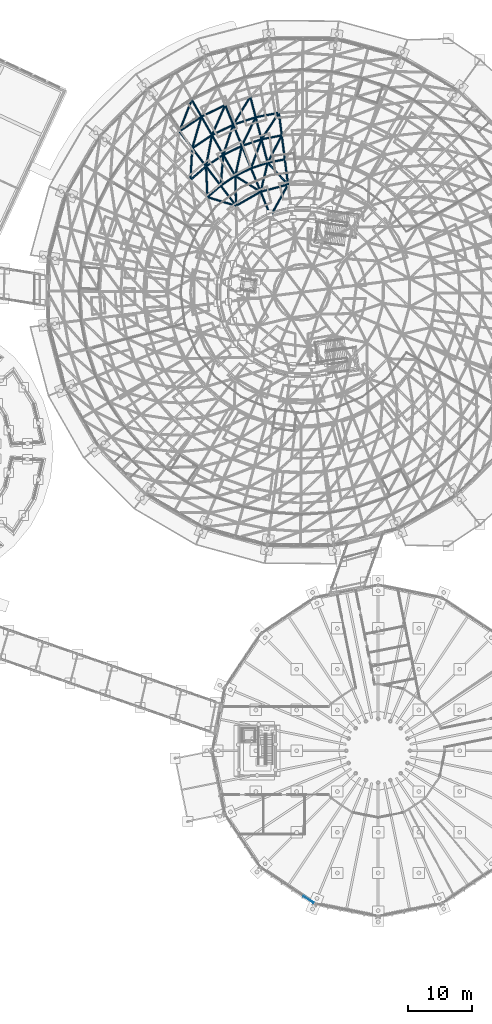
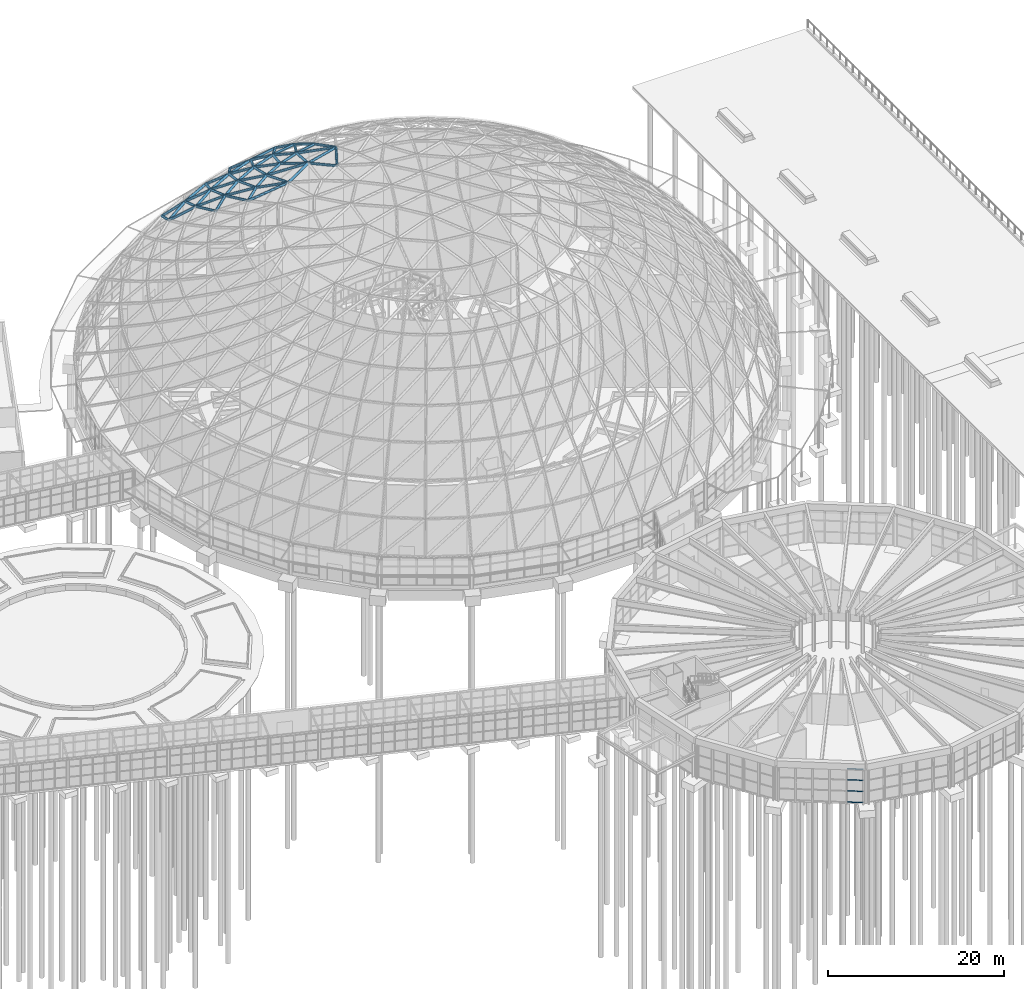
# One storey, part 88 of 226: 61 members, 1 element without a shape of its own.
"""IFC4 building model written with IfcOpenShell, lengths in metres."""

from ifc_helpers import new_model, si_unit, direction, frame, origin, origin_2d, place, context, subcontext, project, spatial, rectangle, hollow_circle, extrude, material, material_profile, profile_set, type_object, element, aggregate, save


model = new_model("IFC4")

# Units and contexts
model_context = context("Model", 3, precision=1e-05, world=origin(), true_north=direction((0.0, 1.0)))
body_context = subcontext(model_context, "Body", "Model", "MODEL_VIEW")
ifc_project = project(units=[si_unit("LENGTHUNIT", "METRE"), si_unit("AREAUNIT", "SQUARE_METRE"), si_unit("VOLUMEUNIT", "CUBIC_METRE"), si_unit("PLANEANGLEUNIT", "RADIAN"), si_unit("MASSUNIT", "GRAM", prefix="KILO")], contexts=[model_context])

# Site, building, storey
site_placement = place(None, origin())
site = spatial("IfcSite", under=ifc_project, at=site_placement, CompositionType="ELEMENT")
building_placement = place(site_placement, origin())
building = spatial("IfcBuilding", under=site, at=building_placement, Name="Ceibo Conservatory and Research Tower", CompositionType="ELEMENT")
storey_placement = place(building_placement, origin())
storey = spatial("IfcBuildingStorey", under=building, at=storey_placement, Name="L00", CompositionType="ELEMENT", Elevation=0.0)

# Members
ifc_material_1 = material(Name="Steel ASTM A500 Gr C", Category="steel")
ifc_material_profile_1 = material_profile(ifc_material_1, hollow_circle(Radius=0.161865234375, WallThickness=0.01025390625, at=origin_2d()), Name="CHS 323.9x10.31")
ifc_profile_set_1 = profile_set([ifc_material_profile_1], Name="Steel ASTM A500 Gr C")
member_type_1 = type_object("IfcMemberType", Name="CHS 323.9x10.31", PredefinedType="NOTDEFINED", material=ifc_profile_set_1)
member_1_placement = place(storey_placement, frame((143.98095703125, 137.37890625, 14.591064453125), z_axis=(-0.898828339994, -0.438300827314, 0.0), x_axis=(0.438300827314, -0.898828339994, 0.0)))
element("IfcMember", 1, at=member_1_placement, inside=storey, type_object=member_type_1, Name="Gridshell member A-C04-15", PredefinedType="CHORD", context=body_context, shape_type="SweptSolid", body=[
    extrude(hollow_circle(Radius=0.161865234375, WallThickness=0.01025390625, at=origin_2d()), origin(), (0.0, 0.0, 1.0), 4.152099609375),
])
member_2_placement = place(storey_placement, frame((140.2490234375, 135.55908203125, 14.591064453125), z_axis=(-0.833908730417, -0.55190237301, 0.0), x_axis=(0.55190237301, -0.833908730417, 0.0)))
element("IfcMember", 2, at=member_2_placement, inside=storey, type_object=member_type_1, Name="Gridshell member A-C04-16", PredefinedType="CHORD", context=body_context, shape_type="SweptSolid", body=[
    extrude(hollow_circle(Radius=0.161865234375, WallThickness=0.01025390625, at=origin_2d()), origin(), (0.0, 0.0, 1.0), 4.15283203125),
])
member_3_placement = place(storey_placement, frame((152.4150390625, 136.177978515625, 17.39501953125), z_axis=(0.103701353107, -0.815548674865, 0.569320988801), x_axis=(0.992012492147, 0.126139666344, 0.0)))
element("IfcMember", 3, at=member_3_placement, inside=storey, type_object=member_type_1, Name="Gridshell member A-M13-05", PredefinedType="RAFTER", context=body_context, shape_type="SweptSolid", body=[
    extrude(hollow_circle(Radius=0.161865234375, WallThickness=0.01025390625, at=origin_2d()), origin(), (0.0, 0.0, 1.0), 4.357666015625),
])
member_4_placement = place(storey_placement, frame((148.76806640625, 135.468994140625, 17.39501953125), z_axis=(0.20923213437, -0.795082110604, 0.569268259562), x_axis=(0.967074537263, 0.25449329928, 0.0)))
element("IfcMember", 4, at=member_4_placement, inside=storey, type_object=member_type_1, Name="Gridshell member A-M14-05", PredefinedType="RAFTER", context=body_context, shape_type="SweptSolid", body=[
    extrude(hollow_circle(Radius=0.161865234375, WallThickness=0.01025390625, at=origin_2d()), origin(), (0.0, 0.0, 1.0), 4.358154296875),
])
member_5_placement = place(storey_placement, frame((145.243896484375, 134.2900390625, 17.39501953125), z_axis=(0.311420288598, -0.760876121558, 0.569284578653), x_axis=(0.925481817254, 0.378792035202, 0.0)))
element("IfcMember", 5, at=member_5_placement, inside=storey, type_object=member_type_1, Name="Gridshell member A-M15-05", PredefinedType="RAFTER", context=body_context, shape_type="SweptSolid", body=[
    extrude(hollow_circle(Radius=0.161865234375, WallThickness=0.01025390625, at=origin_2d()), origin(), (0.0, 0.0, 1.0), 4.35791015625),
])
member_6_placement = place(storey_placement, frame((141.905029296875, 132.660888671875, 17.39501953125), z_axis=(0.407982781221, -0.713787806992, 0.569260060795), x_axis=(0.868188628102, 0.496234325731, 0.0)))
element("IfcMember", 6, at=member_6_placement, inside=storey, type_object=member_type_1, Name="Gridshell member A-M16-05", PredefinedType="RAFTER", context=body_context, shape_type="SweptSolid", body=[
    extrude(hollow_circle(Radius=0.161865234375, WallThickness=0.01025390625, at=origin_2d()), origin(), (0.0, 0.0, 1.0), 4.358154296875),
])
member_7_placement = place(storey_placement, frame((138.806884765625, 130.610107421875, 17.39501953125), z_axis=(0.497546703166, -0.654469157346, 0.569313095099), x_axis=(0.796074204921, 0.60519902533, 0.0)))
element("IfcMember", 7, at=member_7_placement, inside=storey, type_object=member_type_1, Name="Gridshell member A-M17-05", PredefinedType="RAFTER", context=body_context, shape_type="SweptSolid", body=[
    extrude(hollow_circle(Radius=0.161865234375, WallThickness=0.01025390625, at=origin_2d()), origin(), (0.0, 0.0, 1.0), 4.35791015625),
])
member_8_placement = place(storey_placement, frame((152.866943359375, 132.6240234375, 19.8759765625), z_axis=(0.110085992595, -0.864673396571, 0.490123445162), x_axis=(0.991992644609, 0.126295657253, 0.0)))
element("IfcMember", 8, at=member_8_placement, inside=storey, type_object=member_type_1, Name="Gridshell member A-M13-06", PredefinedType="RAFTER", context=body_context, shape_type="SweptSolid", body=[
    extrude(hollow_circle(Radius=0.161865234375, WallThickness=0.01025390625, at=origin_2d()), origin(), (0.0, 0.0, 1.0), 4.360107421875),
])
member_9_placement = place(storey_placement, frame((149.679931640625, 132.00390625, 19.8759765625), z_axis=(0.222032554311, -0.84288373455, 0.490151563149), x_axis=(0.967012094231, 0.254730464631, 0.0)))
element("IfcMember", 9, at=member_9_placement, inside=storey, type_object=member_type_1, Name="Gridshell member A-M14-06", PredefinedType="RAFTER", context=body_context, shape_type="SweptSolid", body=[
    extrude(hollow_circle(Radius=0.161865234375, WallThickness=0.01025390625, at=origin_2d()), origin(), (0.0, 0.0, 1.0), 4.35986328125),
])
member_10_placement = place(storey_placement, frame((146.60107421875, 130.97412109375, 19.8759765625), z_axis=(0.330059067962, -0.806723945208, 0.49016067558), x_axis=(0.925532628043, 0.378667868227, 0.0)))
element("IfcMember", 10, at=member_10_placement, inside=storey, type_object=member_type_1, Name="Gridshell member A-M15-06", PredefinedType="RAFTER", context=body_context, shape_type="SweptSolid", body=[
    extrude(hollow_circle(Radius=0.161865234375, WallThickness=0.01025390625, at=origin_2d()), origin(), (0.0, 0.0, 1.0), 4.359619140625),
])
member_11_placement = place(storey_placement, frame((143.68310546875, 129.550048828125, 19.8759765625), z_axis=(0.432590332967, -0.756711089888, 0.490157046532), x_axis=(0.868152195161, 0.49629806169, 0.0)))
element("IfcMember", 11, at=member_11_placement, inside=storey, type_object=member_type_1, Name="Gridshell member A-M16-06", PredefinedType="RAFTER", context=body_context, shape_type="SweptSolid", body=[
    extrude(hollow_circle(Radius=0.161865234375, WallThickness=0.01025390625, at=origin_2d()), origin(), (0.0, 0.0, 1.0), 4.35986328125),
])
member_12_placement = place(storey_placement, frame((140.97509765625, 127.758056640625, 19.8759765625), z_axis=(0.527754755397, -0.693686137001, 0.4901779896), x_axis=(0.795856289155, 0.605485563009, 0.0)))
element("IfcMember", 12, at=member_12_placement, inside=storey, type_object=member_type_1, Name="Gridshell member A-M17-06", PredefinedType="RAFTER", context=body_context, shape_type="SweptSolid", body=[
    extrude(hollow_circle(Radius=0.161865234375, WallThickness=0.01025390625, at=origin_2d()), origin(), (0.0, 0.0, 1.0), 4.359619140625),
])
member_13_placement = place(storey_placement, frame((153.346923828125, 128.85400390625, 22.012939453125), z_axis=(0.115218783885, -0.906010612223, 0.407270674589), x_axis=(0.992010476037, 0.126155520817, 0.0)))
element("IfcMember", 13, at=member_13_placement, inside=storey, type_object=member_type_1, Name="Gridshell member A-M13-07", PredefinedType="RAFTER", context=body_context, shape_type="SweptSolid", body=[
    extrude(hollow_circle(Radius=0.161865234375, WallThickness=0.01025390625, at=origin_2d()), origin(), (0.0, 0.0, 1.0), 4.358642578125),
])
member_14_placement = place(storey_placement, frame((148.0400390625, 127.45703125, 22.012939453125), z_axis=(0.345728847162, -0.845363878027, 0.407224112703), x_axis=(0.925586023354, 0.378537334184, 0.0)))
element("IfcMember", 14, at=member_14_placement, inside=storey, type_object=member_type_1, Name="Gridshell member A-M15-07", PredefinedType="RAFTER", context=body_context, shape_type="SweptSolid", body=[
    extrude(hollow_circle(Radius=0.161865234375, WallThickness=0.01025390625, at=origin_2d()), origin(), (0.0, 0.0, 1.0), 4.359130859375),
])
member_15_placement = place(storey_placement, frame((143.27587890625, 124.73388671875, 22.012939453125), z_axis=(0.552740001496, -0.727053629855, 0.407273262148), x_axis=(0.796067638667, 0.605207662432, 0.0)))
element("IfcMember", 15, at=member_15_placement, inside=storey, type_object=member_type_1, Name="Gridshell member A-M17-07", PredefinedType="RAFTER", context=body_context, shape_type="SweptSolid", body=[
    extrude(hollow_circle(Radius=0.161865234375, WallThickness=0.01025390625, at=origin_2d()), origin(), (0.0, 0.0, 1.0), 4.358642578125),
])
ifc_material_profile_2 = material_profile(ifc_material_1, hollow_circle(Radius=0.161865234375, WallThickness=0.01416015625, at=origin_2d()), Name="CHS 323.9x14.27")
ifc_profile_set_2 = profile_set([ifc_material_profile_2], Name="Steel ASTM A500 Gr C")
member_type_2 = type_object("IfcMemberType", Name="CHS 323.9x14.27", PredefinedType="NOTDEFINED", material=ifc_profile_set_2)
for number, where, z_axis, x_axis, name in (
    (16, (138.72900390625, 138.218017578125, 11.489013671875), (0.34868779891, -0.609951625108, 0.711600895109), (0.868154830842, 0.496293451182, 0.0), "Gridshell member A-M16-03"),
    (17, (147.91796875, 138.697021484375, 14.591064453125), (0.19500016948, -0.740463021501, 0.643186946146), (0.967029047495, 0.254666097669, 0.0), "Gridshell member A-M14-04"),
):
    element("IfcMember", number, at=place(storey_placement, frame(where, z_axis=z_axis, x_axis=x_axis)), inside=storey, type_object=member_type_2, Name=name, PredefinedType="RAFTER", context=body_context, shape_type="SweptSolid", body=[
        extrude(hollow_circle(Radius=0.161865234375, WallThickness=0.01416015625, at=origin_2d()), origin(), (0.0, 0.0, 1.0), 4.359375),
    ])
member_16_placement = place(storey_placement, frame((143.98095703125, 137.37890625, 14.591064453125), z_axis=(0.289751291914, -0.708666797854, 0.64330051955), x_axis=(0.925619192859, 0.378456219148, 0.0)))
element("IfcMember", 18, at=member_16_placement, inside=storey, type_object=member_type_2, Name="Gridshell member A-M15-04", PredefinedType="RAFTER", context=body_context, shape_type="SweptSolid", body=[
    extrude(hollow_circle(Radius=0.161865234375, WallThickness=0.01416015625, at=origin_2d()), origin(), (0.0, 0.0, 1.0), 4.358642578125),
])
member_17_placement = place(storey_placement, frame((140.2490234375, 135.55908203125, 14.591064453125), z_axis=(0.379873372803, -0.66482040521, 0.643202961321), x_axis=(0.868256644754, 0.496115308008, 0.0)))
element("IfcMember", 19, at=member_17_placement, inside=storey, type_object=member_type_2, Name="Gridshell member A-M16-04", PredefinedType="RAFTER", context=body_context, shape_type="SweptSolid", body=[
    extrude(hollow_circle(Radius=0.161865234375, WallThickness=0.01416015625, at=origin_2d()), origin(), (0.0, 0.0, 1.0), 4.359375),
])
member_18_placement = place(storey_placement, frame((136.785888671875, 133.26708984375, 14.591064453125), z_axis=(0.463573344816, -0.609455026774, 0.643167415465), x_axis=(0.795918324463, 0.605404014509, 0.0)))
element("IfcMember", 20, at=member_18_placement, inside=storey, type_object=member_type_2, Name="Gridshell member A-M17-04", PredefinedType="RAFTER", context=body_context, shape_type="SweptSolid", body=[
    extrude(hollow_circle(Radius=0.161865234375, WallThickness=0.01416015625, at=origin_2d()), origin(), (0.0, 0.0, 1.0), 4.359619140625),
])
ifc_material_profile_3 = material_profile(ifc_material_1, hollow_circle(Radius=0.161865234375, WallThickness=0.00634765625, at=origin_2d()), Name="CHS 323.9x6.35")
ifc_profile_set_3 = profile_set([ifc_material_profile_3], Name="Steel ASTM A500 Gr C")
member_type_3 = type_object("IfcMemberType", Name="CHS 323.9x6.35", PredefinedType="NOTDEFINED", material=ifc_profile_set_3)
member_19_placement = place(storey_placement, frame((153.84912109375, 124.905029296875, 23.7880859375), z_axis=(-0.967021912432, -0.254693189694, 0.0), x_axis=(0.254693189694, -0.967021912432, 0.0)))
element("IfcMember", 21, at=member_19_placement, inside=storey, type_object=member_type_3, Name="Gridshell member A-C08-07", PredefinedType="CHORD", context=body_context, shape_type="SweptSolid", body=[
    extrude(hollow_circle(Radius=0.161865234375, WallThickness=0.00634765625, at=origin_2d()), origin(), (0.0, 0.0, 1.0), 4.44873046875),
])
member_20_placement = place(storey_placement, frame((149.547119140625, 123.77197265625, 23.7880859375), z_axis=(-0.868229631589, -0.496162581046, 0.0), x_axis=(0.496162581046, -0.868229631589, 0.0)))
element("IfcMember", 22, at=member_20_placement, inside=storey, type_object=member_type_3, Name="Gridshell member A-C08-08", PredefinedType="CHORD", context=body_context, shape_type="SweptSolid", body=[
    extrude(hollow_circle(Radius=0.161865234375, WallThickness=0.00634765625, at=origin_2d()), origin(), (0.0, 0.0, 1.0), 4.4482421875),
])
member_21_placement = place(storey_placement, frame((152.4150390625, 136.177978515625, 17.39501953125), z_axis=(-0.490774257322, -0.748975049311, 0.445170758092), x_axis=(0.836427102038, -0.548078190568, 0.0)))
element("IfcMember", 23, at=member_21_placement, inside=storey, type_object=member_type_3, Name="Gridshell diagonal member A-D05-13", PredefinedType="BRACE", context=body_context, shape_type="SweptSolid", body=[
    extrude(hollow_circle(Radius=0.161865234375, WallThickness=0.00634765625, at=origin_2d()), origin(), (0.0, 0.0, 1.0), 5.572998046875),
])
member_22_placement = place(storey_placement, frame((148.76806640625, 135.468994140625, 17.39501953125), z_axis=(-0.38885919382, -0.806589298942, 0.445199090536), x_axis=(0.900782694212, -0.434270120788, 0.0)))
element("IfcMember", 24, at=member_22_placement, inside=storey, type_object=member_type_3, Name="Gridshell diagonal member A-D05-14", PredefinedType="BRACE", context=body_context, shape_type="SweptSolid", body=[
    extrude(hollow_circle(Radius=0.161865234375, WallThickness=0.00634765625, at=origin_2d()), origin(), (0.0, 0.0, 1.0), 5.57275390625),
])
for number, where, z_axis, x_axis, name in (
    (25, (145.243896484375, 134.2900390625, 17.39501953125), (-0.280061205004, -0.850522179751, 0.445171588495), (0.949831547348, -0.31276194088, 0.0), "Gridshell diagonal member A-D05-15"),
    (26, (141.905029296875, 132.660888671875, 17.39501953125), (-0.166865479678, -0.879756514282, 0.445179050798), (0.982483435739, -0.186349935601, 0.0), "Gridshell diagonal member A-D05-16"),
):
    element("IfcMember", number, at=place(storey_placement, frame(where, z_axis=z_axis, x_axis=x_axis)), inside=storey, type_object=member_type_3, Name=name, PredefinedType="BRACE", context=body_context, shape_type="SweptSolid", body=[
        extrude(hollow_circle(Radius=0.161865234375, WallThickness=0.00634765625, at=origin_2d()), origin(), (0.0, 0.0, 1.0), 5.572998046875),
    ])
member_23_placement = place(storey_placement, frame((138.806884765625, 130.610107421875, 17.39501953125), z_axis=(-0.05059923901, -0.894007506898, 0.445185685554), x_axis=(0.998402158224, -0.056507791089, 0.0)))
element("IfcMember", 27, at=member_23_placement, inside=storey, type_object=member_type_3, Name="Gridshell diagonal member A-D05-17", PredefinedType="BRACE", context=body_context, shape_type="SweptSolid", body=[
    extrude(hollow_circle(Radius=0.161865234375, WallThickness=0.00634765625, at=origin_2d()), origin(), (0.0, 0.0, 1.0), 5.57275390625),
])
member_24_placement = place(storey_placement, frame((152.866943359375, 132.6240234375, 19.8759765625), z_axis=(-0.41982379898, -0.812580071698, 0.404303852181), x_axis=(0.888430025813, -0.459012079617, 0.0)))
element("IfcMember", 28, at=member_24_placement, inside=storey, type_object=member_type_3, Name="Gridshell diagonal member A-D06-13", PredefinedType="BRACE", context=body_context, shape_type="SweptSolid", body=[
    extrude(hollow_circle(Radius=0.161865234375, WallThickness=0.00634765625, at=origin_2d()), origin(), (0.0, 0.0, 1.0), 5.28564453125),
])
member_25_placement = place(storey_placement, frame((149.679931640625, 132.00390625, 19.8759765625), z_axis=(-0.310299070136, -0.860355796073, 0.404354289252), x_axis=(0.940688288044, -0.339272080691, 0.0)))
element("IfcMember", 29, at=member_25_placement, inside=storey, type_object=member_type_3, Name="Gridshell diagonal member A-D06-14", PredefinedType="BRACE", context=body_context, shape_type="SweptSolid", body=[
    extrude(hollow_circle(Radius=0.161865234375, WallThickness=0.00634765625, at=origin_2d()), origin(), (0.0, 0.0, 1.0), 5.284912109375),
])
member_26_placement = place(storey_placement, frame((146.60107421875, 130.97412109375, 19.8759765625), z_axis=(-0.195236714133, -0.893553222526, 0.404283642963), x_axis=(0.976952040422, -0.213458920442, 0.0)))
element("IfcMember", 30, at=member_26_placement, inside=storey, type_object=member_type_3, Name="Gridshell diagonal member A-D06-15", PredefinedType="BRACE", context=body_context, shape_type="SweptSolid", body=[
    extrude(hollow_circle(Radius=0.161865234375, WallThickness=0.00634765625, at=origin_2d()), origin(), (0.0, 0.0, 1.0), 5.285888671875),
])
for number, where, z_axis, x_axis, name in (
    (31, (143.68310546875, 129.550048828125, 19.8759765625), (-0.077057915838, -0.911343828379, 0.404369266985), (0.996444350914, -0.084253519406, 0.0), "Gridshell diagonal member A-D06-16"),
    (32, (140.97509765625, 127.758056640625, 19.8759765625), (0.042548090208, -0.913605897877, 0.404368548954), (0.998917303835, 0.046521179047, 0.0), "Gridshell diagonal member A-D06-17"),
):
    element("IfcMember", number, at=place(storey_placement, frame(where, z_axis=z_axis, x_axis=x_axis)), inside=storey, type_object=member_type_3, Name=name, PredefinedType="BRACE", context=body_context, shape_type="SweptSolid", body=[
        extrude(hollow_circle(Radius=0.161865234375, WallThickness=0.00634765625, at=origin_2d()), origin(), (0.0, 0.0, 1.0), 5.28466796875),
    ])
member_27_placement = place(storey_placement, frame((150.64794921875, 128.3291015625, 22.012939453125), z_axis=(0.638666237628, -0.68313712498, 0.354159717342), x_axis=(0.730483444429, 0.682930404518, 0.0)))
element("IfcMember", 33, at=member_27_placement, inside=storey, type_object=member_type_3, Name="Gridshell diagonal member A-D07-14", PredefinedType="BRACE", context=body_context, shape_type="SweptSolid", body=[
    extrude(hollow_circle(Radius=0.161865234375, WallThickness=0.00634765625, at=origin_2d()), origin(), (0.0, 0.0, 1.0), 5.01220703125),
])
member_28_placement = place(storey_placement, frame((150.64794921875, 128.3291015625, 22.012939453125), z_axis=(-0.219594077661, -0.909058117901, 0.354107016782), x_axis=(0.972041645367, -0.234808517034, 0.0)))
element("IfcMember", 34, at=member_28_placement, inside=storey, type_object=member_type_3, Name="Gridshell diagonal member A-D07-15", PredefinedType="BRACE", context=body_context, shape_type="SweptSolid", body=[
    extrude(hollow_circle(Radius=0.161865234375, WallThickness=0.00634765625, at=origin_2d()), origin(), (0.0, 0.0, 1.0), 5.012939453125),
])
member_29_placement = place(storey_placement, frame((145.569091796875, 126.2509765625, 22.012939453125), z_axis=(0.793682215498, -0.494602259492, 0.354171068423), x_axis=(0.528884186976, 0.848694006558, 0.0)))
element("IfcMember", 35, at=member_29_placement, inside=storey, type_object=member_type_3, Name="Gridshell diagonal member A-D07-16", PredefinedType="BRACE", context=body_context, shape_type="SweptSolid", body=[
    extrude(hollow_circle(Radius=0.161865234375, WallThickness=0.00634765625, at=origin_2d()), origin(), (0.0, 0.0, 1.0), 5.01220703125),
])
member_30_placement = place(storey_placement, frame((145.569091796875, 126.2509765625, 22.012939453125), z_axis=(0.02313627449, -0.934900321185, 0.354155477511), x_axis=(0.999693925733, 0.024739742353, 0.0)))
element("IfcMember", 36, at=member_30_placement, inside=storey, type_object=member_type_3, Name="Gridshell diagonal member A-D07-17", PredefinedType="BRACE", context=body_context, shape_type="SweptSolid", body=[
    extrude(hollow_circle(Radius=0.161865234375, WallThickness=0.00634765625, at=origin_2d()), origin(), (0.0, 0.0, 1.0), 5.012451171875),
])
member_31_placement = place(storey_placement, frame((141.199951171875, 122.929931640625, 22.012939453125), z_axis=(0.894688815476, -0.272288126249, 0.354106057228), x_axis=(0.29115332696, 0.956676403075, 0.0)))
element("IfcMember", 37, at=member_31_placement, inside=storey, type_object=member_type_3, Name="Gridshell diagonal member A-D07-18", PredefinedType="BRACE", context=body_context, shape_type="SweptSolid", body=[
    extrude(hollow_circle(Radius=0.161865234375, WallThickness=0.00634765625, at=origin_2d()), origin(), (0.0, 0.0, 1.0), 5.012939453125),
])
member_32_placement = place(storey_placement, frame((153.84912109375, 124.905029296875, 23.7880859375), z_axis=(-0.469647025797, -0.849761698392, 0.239450886626), x_axis=(0.875223275456, -0.483719152091, 0.0)))
element("IfcMember", 38, at=member_32_placement, inside=storey, type_object=member_type_3, Name="Gridshell diagonal member A-D08-07", PredefinedType="BRACE", context=body_context, shape_type="SweptSolid", body=[
    extrude(hollow_circle(Radius=0.161865234375, WallThickness=0.00634765625, at=origin_2d()), origin(), (0.0, 0.0, 1.0), 5.830078125),
])
ifc_material_profile_4 = material_profile(ifc_material_1, hollow_circle(Radius=0.161865234375, WallThickness=0.00830078125, at=origin_2d()), Name="CHS 323.9x8.38")
ifc_profile_set_4 = profile_set([ifc_material_profile_4], Name="Steel ASTM A500 Gr C")
member_type_4 = type_object("IfcMemberType", Name="CHS 323.9x8.38", PredefinedType="NOTDEFINED", material=ifc_profile_set_4)
member_33_placement = place(storey_placement, frame((152.4150390625, 136.177978515625, 17.39501953125), z_axis=(-0.981622912939, -0.190830963929, 0.0), x_axis=(0.190830963929, -0.981622912939, 0.0)))
element("IfcMember", 39, at=member_33_placement, inside=storey, type_object=member_type_4, Name="Gridshell member A-C05-13", PredefinedType="CHORD", context=body_context, shape_type="SweptSolid", body=[
    extrude(hollow_circle(Radius=0.161865234375, WallThickness=0.00830078125, at=origin_2d()), origin(), (0.0, 0.0, 1.0), 3.71533203125),
])
member_34_placement = place(storey_placement, frame((148.76806640625, 135.468994140625, 17.39501953125), z_axis=(-0.94834111828, -0.317252460005, 0.0), x_axis=(0.317252460005, -0.94834111828, 0.0)))
element("IfcMember", 40, at=member_34_placement, inside=storey, type_object=member_type_4, Name="Gridshell member A-C05-14", PredefinedType="CHORD", context=body_context, shape_type="SweptSolid", body=[
    extrude(hollow_circle(Radius=0.161865234375, WallThickness=0.00830078125, at=origin_2d()), origin(), (0.0, 0.0, 1.0), 3.716064453125),
])
member_35_placement = place(storey_placement, frame((145.243896484375, 134.2900390625, 17.39501953125), z_axis=(-0.89872233576, -0.438518144671, 0.0), x_axis=(0.438518144671, -0.89872233576, 0.0)))
element("IfcMember", 41, at=member_35_placement, inside=storey, type_object=member_type_4, Name="Gridshell member A-C05-15", PredefinedType="CHORD", context=body_context, shape_type="SweptSolid", body=[
    extrude(hollow_circle(Radius=0.161865234375, WallThickness=0.00830078125, at=origin_2d()), origin(), (0.0, 0.0, 1.0), 3.715087890625),
])
member_36_placement = place(storey_placement, frame((141.905029296875, 132.660888671875, 17.39501953125), z_axis=(-0.833865491035, -0.551967700922, 0.0), x_axis=(0.551967700922, -0.833865491035, 0.0)))
element("IfcMember", 42, at=member_36_placement, inside=storey, type_object=member_type_4, Name="Gridshell member A-C05-16", PredefinedType="CHORD", context=body_context, shape_type="SweptSolid", body=[
    extrude(hollow_circle(Radius=0.161865234375, WallThickness=0.00830078125, at=origin_2d()), origin(), (0.0, 0.0, 1.0), 3.71533203125),
])
member_37_placement = place(storey_placement, frame((152.866943359375, 132.6240234375, 19.8759765625), z_axis=(-0.981591118181, -0.190994441564, 0.0), x_axis=(0.190994441564, -0.981591118181, 0.0)))
element("IfcMember", 43, at=member_37_placement, inside=storey, type_object=member_type_4, Name="Gridshell member A-C06-13", PredefinedType="CHORD", context=body_context, shape_type="SweptSolid", body=[
    extrude(hollow_circle(Radius=0.161865234375, WallThickness=0.00830078125, at=origin_2d()), origin(), (0.0, 0.0, 1.0), 3.246826171875),
])
member_38_placement = place(storey_placement, frame((149.679931640625, 132.00390625, 19.8759765625), z_axis=(-0.948359437885, -0.317197693204, 0.0), x_axis=(0.317197693204, -0.948359437885, 0.0)))
element("IfcMember", 44, at=member_38_placement, inside=storey, type_object=member_type_4, Name="Gridshell member A-C06-14", PredefinedType="CHORD", context=body_context, shape_type="SweptSolid", body=[
    extrude(hollow_circle(Radius=0.161865234375, WallThickness=0.00830078125, at=origin_2d()), origin(), (0.0, 0.0, 1.0), 3.24658203125),
])
member_39_placement = place(storey_placement, frame((146.60107421875, 130.97412109375, 19.8759765625), z_axis=(-0.898686771042, -0.438591025392, 0.0), x_axis=(0.438591025392, -0.898686771042, 0.0)))
element("IfcMember", 45, at=member_39_placement, inside=storey, type_object=member_type_4, Name="Gridshell member A-C06-15", PredefinedType="CHORD", context=body_context, shape_type="SweptSolid", body=[
    extrude(hollow_circle(Radius=0.161865234375, WallThickness=0.00830078125, at=origin_2d()), origin(), (0.0, 0.0, 1.0), 3.246826171875),
])
member_40_placement = place(storey_placement, frame((143.68310546875, 129.550048828125, 19.8759765625), z_axis=(-0.833942382411, -0.551851522439, 0.0), x_axis=(0.551851522439, -0.833942382411, 0.0)))
element("IfcMember", 46, at=member_40_placement, inside=storey, type_object=member_type_4, Name="Gridshell member A-C06-16", PredefinedType="CHORD", context=body_context, shape_type="SweptSolid", body=[
    extrude(hollow_circle(Radius=0.161865234375, WallThickness=0.00830078125, at=origin_2d()), origin(), (0.0, 0.0, 1.0), 3.247314453125),
])
member_41_placement = place(storey_placement, frame((140.97509765625, 127.758056640625, 19.8759765625), z_axis=(-0.754678367259, -0.656094933673, 0.0), x_axis=(0.656094933673, -0.754678367259, 0.0)))
element("IfcMember", 47, at=member_41_placement, inside=storey, type_object=member_type_4, Name="Gridshell member A-C06-17", PredefinedType="CHORD", context=body_context, shape_type="SweptSolid", body=[
    extrude(hollow_circle(Radius=0.161865234375, WallThickness=0.00830078125, at=origin_2d()), origin(), (0.0, 0.0, 1.0), 3.24658203125),
])
member_42_placement = place(storey_placement, frame((153.346923828125, 128.85400390625, 22.012939453125), z_axis=(-0.981608457213, -0.190905308277, 0.0), x_axis=(0.190905308277, -0.981608457213, 0.0)))
element("IfcMember", 48, at=member_42_placement, inside=storey, type_object=member_type_4, Name="Gridshell member A-C07-13", PredefinedType="CHORD", context=body_context, shape_type="SweptSolid", body=[
    extrude(hollow_circle(Radius=0.161865234375, WallThickness=0.00830078125, at=origin_2d()), origin(), (0.0, 0.0, 1.0), 2.74951171875),
])
member_43_placement = place(storey_placement, frame((150.64794921875, 128.3291015625, 22.012939453125), z_axis=(-0.948381003308, -0.317133209494, 0.0), x_axis=(0.317133209494, -0.948381003308, 0.0)))
element("IfcMember", 49, at=member_43_placement, inside=storey, type_object=member_type_4, Name="Gridshell member A-C07-14", PredefinedType="CHORD", context=body_context, shape_type="SweptSolid", body=[
    extrude(hollow_circle(Radius=0.161865234375, WallThickness=0.00830078125, at=origin_2d()), origin(), (0.0, 0.0, 1.0), 2.749755859375),
])
for number, where, z_axis, x_axis, name in (
    (50, (148.0400390625, 127.45703125, 22.012939453125), (-0.898666017803, -0.438633546877, 0.0), (0.438633546877, -0.898666017803, 0.0), "Gridshell member A-C07-15"),
    (51, (145.569091796875, 126.2509765625, 22.012939453125), (-0.834012120733, -0.551746121392, 0.0), (0.551746121392, -0.834012120733, 0.0), "Gridshell member A-C07-16"),
):
    element("IfcMember", number, at=place(storey_placement, frame(where, z_axis=z_axis, x_axis=x_axis)), inside=storey, type_object=member_type_4, Name=name, PredefinedType="CHORD", context=body_context, shape_type="SweptSolid", body=[
        extrude(hollow_circle(Radius=0.161865234375, WallThickness=0.00830078125, at=origin_2d()), origin(), (0.0, 0.0, 1.0), 2.74951171875),
    ])
member_44_placement = place(storey_placement, frame((143.27587890625, 124.73388671875, 22.012939453125), z_axis=(-0.754821437046, -0.655930330276, 0.0), x_axis=(0.655930330276, -0.754821437046, 0.0)))
element("IfcMember", 52, at=member_44_placement, inside=storey, type_object=member_type_4, Name="Gridshell member A-C07-17", PredefinedType="CHORD", context=body_context, shape_type="SweptSolid", body=[
    extrude(hollow_circle(Radius=0.161865234375, WallThickness=0.00830078125, at=origin_2d()), origin(), (0.0, 0.0, 1.0), 2.750244140625),
])
member_45_placement = place(storey_placement, frame((138.72900390625, 138.218017578125, 11.489013671875), z_axis=(-0.315588438316, -0.804098246086, 0.503815391034), x_axis=(0.930872515476, -0.365344166412, 0.0)))
element("IfcMember", 53, at=member_45_placement, inside=storey, type_object=member_type_4, Name="Gridshell diagonal member A-D03-16", PredefinedType="BRACE", context=body_context, shape_type="SweptSolid", body=[
    extrude(hollow_circle(Radius=0.161865234375, WallThickness=0.00830078125, at=origin_2d()), origin(), (0.0, 0.0, 1.0), 6.1572265625),
])
member_46_placement = place(storey_placement, frame((147.91796875, 138.697021484375, 14.591064453125), z_axis=(-0.455698270377, -0.751009721407, 0.477832067496), x_axis=(0.854924803133, -0.518751945527, 0.0)))
element("IfcMember", 54, at=member_46_placement, inside=storey, type_object=member_type_4, Name="Gridshell diagonal member A-D04-14", PredefinedType="BRACE", context=body_context, shape_type="SweptSolid", body=[
    extrude(hollow_circle(Radius=0.161865234375, WallThickness=0.00830078125, at=origin_2d()), origin(), (0.0, 0.0, 1.0), 5.8681640625),
])
member_47_placement = place(storey_placement, frame((143.98095703125, 137.37890625, 14.591064453125), z_axis=(-0.353781673788, -0.80404925861, 0.477852819412), x_axis=(0.915315032423, -0.402738614266, 0.0)))
element("IfcMember", 55, at=member_47_placement, inside=storey, type_object=member_type_4, Name="Gridshell diagonal member A-D04-15", PredefinedType="BRACE", context=body_context, shape_type="SweptSolid", body=[
    extrude(hollow_circle(Radius=0.161865234375, WallThickness=0.00830078125, at=origin_2d()), origin(), (0.0, 0.0, 1.0), 5.867919921875),
])
member_48_placement = place(storey_placement, frame((140.2490234375, 135.55908203125, 14.591064453125), z_axis=(-0.245760189949, -0.843373084554, 0.477832365256), x_axis=(0.960068399472, -0.279765380873, 0.0)))
element("IfcMember", 56, at=member_48_placement, inside=storey, type_object=member_type_4, Name="Gridshell diagonal member A-D04-16", PredefinedType="BRACE", context=body_context, shape_type="SweptSolid", body=[
    extrude(hollow_circle(Radius=0.161865234375, WallThickness=0.00830078125, at=origin_2d()), origin(), (0.0, 0.0, 1.0), 5.8681640625),
])
member_49_placement = place(storey_placement, frame((149.547119140625, 123.77197265625, 23.7880859375), z_axis=(0.358843704999, -0.876719142512, 0.320304137556), x_axis=(0.925478180129, 0.378800921469, 0.0)))
element("IfcMember", 57, at=member_49_placement, inside=storey, type_object=member_type_4, Name="Gridshell member A-M08-08", PredefinedType="RAFTER", context=body_context, shape_type="SweptSolid", body=[
    extrude(hollow_circle(Radius=0.161865234375, WallThickness=0.00830078125, at=origin_2d()), origin(), (0.0, 0.0, 1.0), 4.3583984375),
])

# Curtain wall, members
ifc_material_2 = material(Name="Aluminium and glass", Category="aluminium")
curtain_wall_type = type_object("IfcCurtainWallType", Name="Pavilion curtain wall", PredefinedType="NOTDEFINED", material=ifc_material_2)
curtain_wall_placement = place(storey_placement, origin())
curtain_wall = element("IfcCurtainWall", 58, at=curtain_wall_placement, inside=storey, type_object=curtain_wall_type, Name="Pavilion curtain wall VC-CW11", PredefinedType="NOTDEFINED")
ifc_material_3 = material(Name="Aluminium", Category="aluminium")
ifc_material_profile_5 = material_profile(ifc_material_3, rectangle(XDim=0.1201171875, YDim=0.06005859375, at=origin_2d()), Name="AL 60x120")
ifc_profile_set_5 = profile_set([ifc_material_profile_5], Name="Aluminium")
member_type_5 = type_object("IfcMemberType", Name="Pavilion transom 60x120", PredefinedType="USERDEFINED", material=ifc_profile_set_5)
member_50_placement = place(storey_placement, frame((156.286865234375, 13.157470703125, 0.030029296875), z_axis=(0.831402706574, -0.555670351469, 0.0), x_axis=(0.555670351469, 0.831402706574, 0.0)))
member_50 = element("IfcMember", 59, at=member_50_placement, type_object=member_type_5, Name="VC-CW11 transom 5.1", ObjectType="TRANSOM", PredefinedType="USERDEFINED", context=body_context, shape_type="SweptSolid", body=[
    extrude(rectangle(XDim=0.1201171875, YDim=0.06005859375, at=origin_2d()), origin(), (0.0, 0.0, 1.0), 1.857666015625),
])
member_51_placement = place(storey_placement, frame((156.286865234375, 13.157470703125, 1.5810546875), z_axis=(0.831402706574, -0.555670351469, 0.0), x_axis=(0.555670351469, 0.831402706574, 0.0)))
member_51 = element("IfcMember", 60, at=member_51_placement, type_object=member_type_5, Name="VC-CW11 transom 5.2", ObjectType="TRANSOM", PredefinedType="USERDEFINED", context=body_context, shape_type="SweptSolid", body=[
    extrude(rectangle(XDim=0.1201171875, YDim=0.06005859375, at=origin_2d()), origin(), (0.0, 0.0, 1.0), 1.857666015625),
])
member_52_placement = place(storey_placement, frame((156.286865234375, 13.157470703125, 3.114990234375), z_axis=(0.831402706574, -0.555670351469, 0.0), x_axis=(0.555670351469, 0.831402706574, 0.0)))
member_52 = element("IfcMember", 61, at=member_52_placement, type_object=member_type_5, Name="VC-CW11 transom 5.3", ObjectType="TRANSOM", PredefinedType="USERDEFINED", context=body_context, shape_type="SweptSolid", body=[
    extrude(rectangle(XDim=0.1201171875, YDim=0.06005859375, at=origin_2d()), origin(), (0.0, 0.0, 1.0), 1.857666015625),
])
member_53_placement = place(storey_placement, frame((156.286865234375, 13.157470703125, 4.618896484375), z_axis=(0.831402706574, -0.555670351469, 0.0), x_axis=(0.555670351469, 0.831402706574, 0.0)))
member_53 = element("IfcMember", 62, at=member_53_placement, type_object=member_type_5, Name="VC-CW11 transom 5.4", ObjectType="TRANSOM", PredefinedType="USERDEFINED", context=body_context, shape_type="SweptSolid", body=[
    extrude(rectangle(XDim=0.1201171875, YDim=0.06005859375, at=origin_2d()), origin(), (0.0, 0.0, 1.0), 1.857666015625),
])
aggregate(curtain_wall, [member_50, member_51, member_52, member_53])

save(model, "model.ifc")
